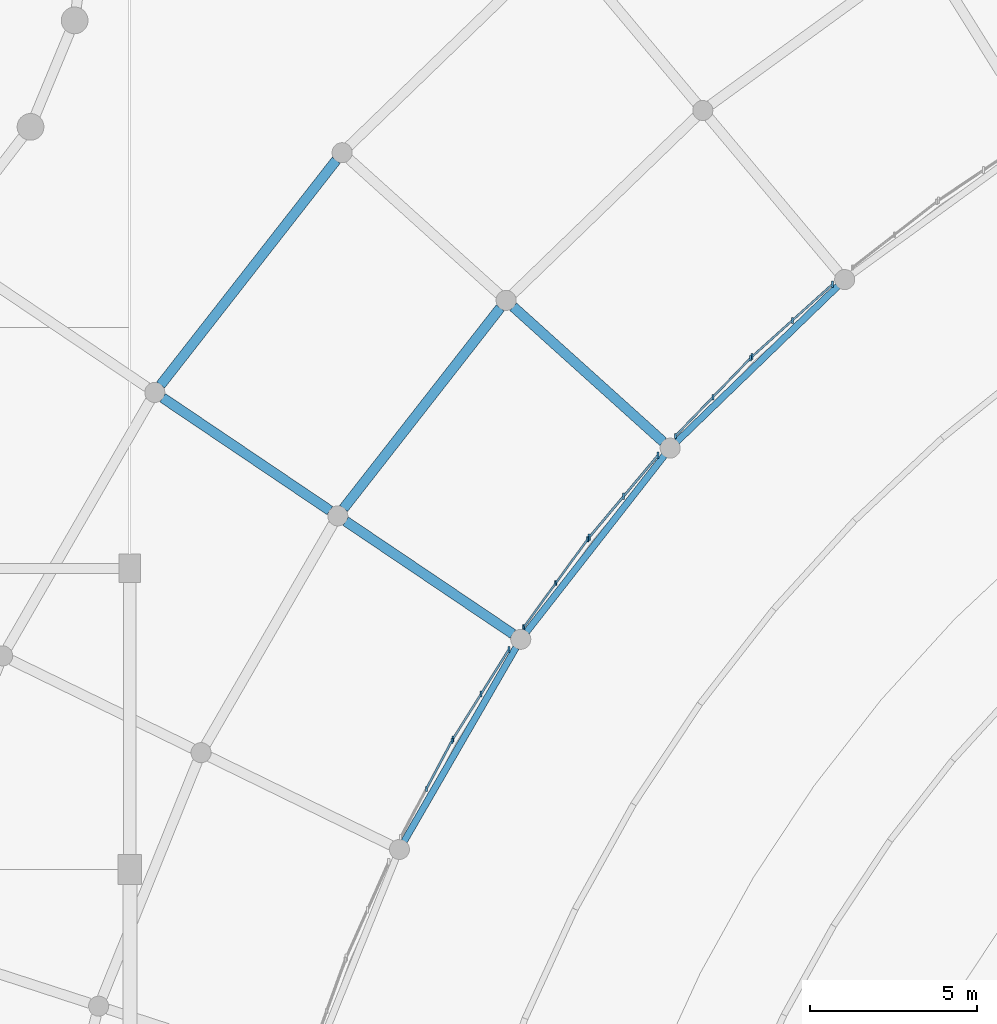
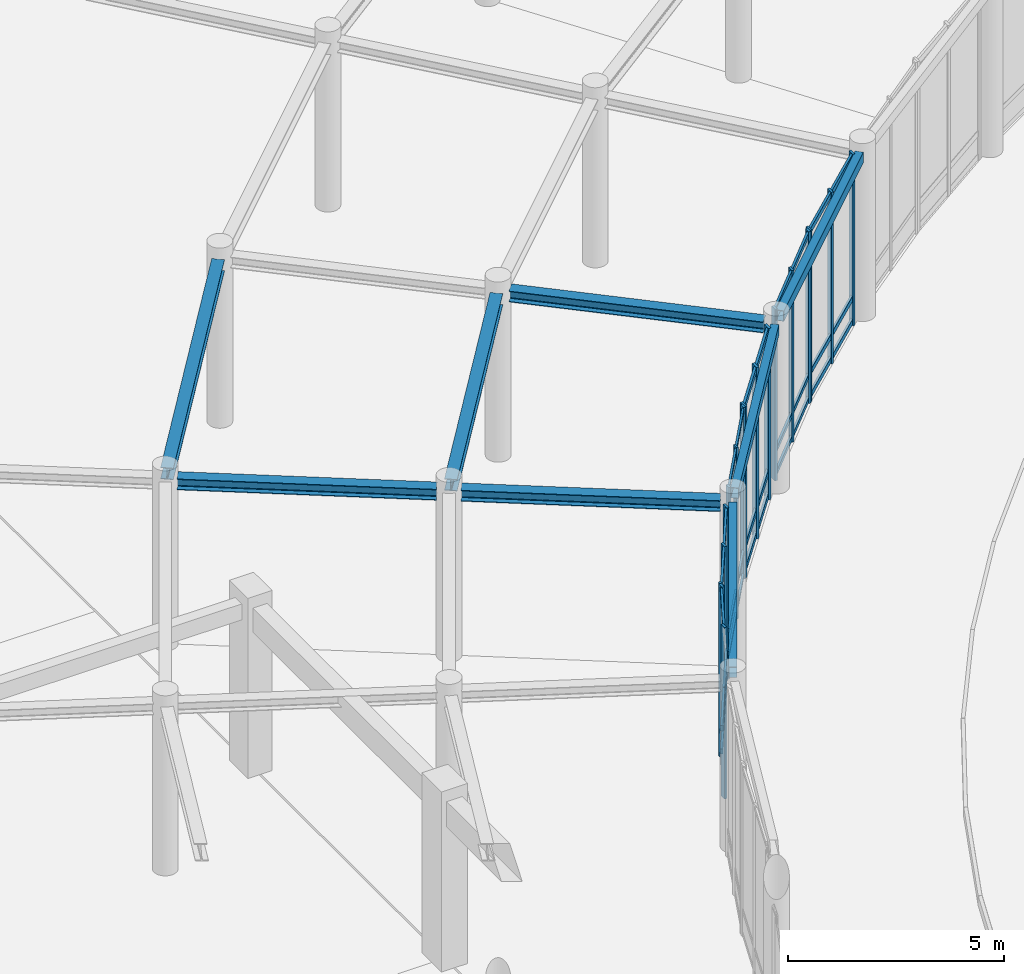
# One storey, part 19 of 64: 50 members, 8 beams, 6 elements without a shape of their own.
"""IFC4 building model written with IfcOpenShell, lengths in metres."""

from ifc_helpers import new_model, si_unit, direction, frame, origin, origin_2d, place, context, subcontext, project, spatial, rectangle, hollow_rectangle, i_section, extrude, material, material_profile, profile_set, type_object, element, aggregate, save


model = new_model("IFC4")

# Units and contexts
model_context = context("Model", 3, precision=1e-05, world=origin(), true_north=direction((0.0, 1.0)))
body_context = subcontext(model_context, "Body", "Model", "MODEL_VIEW")
ifc_project = project(units=[si_unit("LENGTHUNIT", "METRE"), si_unit("AREAUNIT", "SQUARE_METRE"), si_unit("VOLUMEUNIT", "CUBIC_METRE"), si_unit("PLANEANGLEUNIT", "RADIAN"), si_unit("MASSUNIT", "GRAM", prefix="KILO")], contexts=[model_context])

# Site, building, storey
site_placement = place(None, origin())
site = spatial("IfcSite", under=ifc_project, at=site_placement, CompositionType="ELEMENT")
building_placement = place(site_placement, origin())
building = spatial("IfcBuilding", under=site, at=building_placement, Name="Clarverna Civic Hall", CompositionType="ELEMENT")
storey_placement = place(building_placement, origin())
storey = spatial("IfcBuildingStorey", under=building, at=storey_placement, Name="L00", CompositionType="ELEMENT", Elevation=0.0)

# Beams
ifc_material_1 = material(Name="Steel S355", Category="steel")
ifc_material_profile_1 = material_profile(ifc_material_1, hollow_rectangle(XDim=0.199951171875, YDim=0.300048828125, WallThickness=0.010009765625, at=origin_2d()), Name="RHS 300x200x10.0")
ifc_profile_set_1 = profile_set([ifc_material_profile_1], Name="Steel S355")
beam_type_1 = type_object("IfcBeamType", Name="B-ST15", PredefinedType="SPANDREL", material=ifc_profile_set_1)
beam_1_placement = place(storey_placement, frame((118.3701171875, 47.63623046875, 4.7099609375), z_axis=(-0.719361812059, -0.694635575932, 0.0), x_axis=(0.694635575932, -0.719361812059, 0.0)))
element("IfcBeam", 1, at=beam_1_placement, inside=storey, type_object=beam_type_1, Name="B-ST15-005", PredefinedType="SPANDREL", context=body_context, shape_type="SweptSolid", body=[
    extrude(hollow_rectangle(XDim=0.199951171875, YDim=0.300048828125, WallThickness=0.010009765625, at=origin_2d()), origin(), (0.0, 0.0, 1.0), 6.6845703125),
])
for number, where, z_axis, x_axis, name in (
    (2, (113.180908203125, 42.5703125, 4.7099609375), (-0.615643333246, -0.788024927416, 0.0), (0.788024927416, -0.615643333246, 0.0), "B-ST15-006"),
    (3, (108.74755859375, 36.831298828125, 4.7099609375), (-0.499980636126, -0.866036583233, 0.0), (0.866036583233, -0.499980636126, 0.0), "B-ST15-007"),
):
    element("IfcBeam", number, at=place(storey_placement, frame(where, z_axis=z_axis, x_axis=x_axis)), inside=storey, type_object=beam_type_1, Name=name, PredefinedType="SPANDREL", context=body_context, shape_type="SweptSolid", body=[
        extrude(hollow_rectangle(XDim=0.199951171875, YDim=0.300048828125, WallThickness=0.010009765625, at=origin_2d()), origin(), (0.0, 0.0, 1.0), 6.684814453125),
    ])
ifc_material_profile_2 = material_profile(ifc_material_1, i_section(OverallWidth=0.300048828125, OverallDepth=0.330078125, WebThickness=0.009521484375, FlangeThickness=0.0166015625, FilletRadius=0.027099609375, at=origin_2d()), Name="HEA 340")
ifc_profile_set_2 = profile_set([ifc_material_profile_2], Name="Steel S355")
beam_type_2 = type_object("IfcBeamType", Name="B-ST8", PredefinedType="BEAM", material=ifc_profile_set_2)
beam_2_placement = place(storey_placement, frame((108.276123046875, 46.986572265625, 4.614990234375), z_axis=(-0.615641550165, -0.788026320443, 0.0), x_axis=(0.788026320443, -0.615641550165, 0.0)))
element("IfcBeam", 4, at=beam_2_placement, inside=storey, type_object=beam_type_2, Name="B-ST8-034", PredefinedType="BEAM", context=body_context, shape_type="SweptSolid", body=[
    extrude(i_section(OverallWidth=0.300048828125, OverallDepth=0.330078125, WebThickness=0.009521484375, FlangeThickness=0.0166015625, FilletRadius=0.027099609375, at=origin_2d()), origin(), (0.0, 0.0, 1.0), 7.605224609375),
])
beam_3_placement = place(storey_placement, frame((103.37158203125, 51.402587890625, 4.614990234375), z_axis=(-0.615675715083, -0.787999628081, 0.0), x_axis=(0.787999628081, -0.615675715083, 0.0)))
element("IfcBeam", 5, at=beam_3_placement, inside=storey, type_object=beam_type_2, Name="B-ST8-043", PredefinedType="BEAM", context=body_context, shape_type="SweptSolid", body=[
    extrude(i_section(OverallWidth=0.300048828125, OverallDepth=0.330078125, WebThickness=0.009521484375, FlangeThickness=0.0166015625, FilletRadius=0.027099609375, at=origin_2d()), origin(), (0.0, 0.0, 1.0), 8.526123046875),
])
ifc_material_profile_3 = material_profile(ifc_material_1, i_section(OverallWidth=0.300048828125, OverallDepth=0.31005859375, WebThickness=0.009033203125, FlangeThickness=0.015380859375, FilletRadius=0.027099609375, at=origin_2d()), Name="HEA 320")
ifc_profile_set_3 = profile_set([ifc_material_profile_3], Name="Steel S355")
beam_type_3 = type_object("IfcBeamType", Name="B-ST9", PredefinedType="BEAM", material=ifc_profile_set_3)
for number, where, z_axis, x_axis, name in (
    (6, (113.144775390625, 42.985595703125, 4.625), (-0.743143139019, 0.669132479356, 0.0), (-0.669132479356, -0.743143139019, 0.0), "B-ST9-037"),
    (7, (108.65380859375, 37.2373046875, 4.625), (-0.829023239564, 0.559214152416, 0.0), (-0.559214152416, -0.829023239564, 0.0), "B-ST9-039"),
    (8, (103.18212890625, 40.927978515625, 4.625), (-0.829023239564, 0.559214152416, 0.0), (-0.559214152416, -0.829023239564, 0.0), "B-ST9-040"),
):
    element("IfcBeam", number, at=place(storey_placement, frame(where, z_axis=z_axis, x_axis=x_axis)), inside=storey, type_object=beam_type_3, Name=name, PredefinedType="BEAM", context=body_context, shape_type="SweptSolid", body=[
        extrude(i_section(OverallWidth=0.300048828125, OverallDepth=0.31005859375, WebThickness=0.009033203125, FlangeThickness=0.015380859375, FilletRadius=0.027099609375, at=origin_2d()), origin(), (0.0, 0.0, 1.0), 6.030029296875),
    ])

# Curtain wall, members
ifc_material_2 = material(Name="Anodised Bronze Architectural Aluminium", Category="aluminium")
curtain_wall_type = type_object("IfcCurtainWallType", Name="CW-03", PredefinedType="USERDEFINED", material=ifc_material_2)
curtain_wall_1_placement = place(storey_placement, origin())
curtain_wall_1 = element("IfcCurtainWall", 9, at=curtain_wall_1_placement, inside=storey, type_object=curtain_wall_type, Name="CW-03-016", ObjectType="UNITISED CURTAIN WALL", PredefinedType="USERDEFINED")
ifc_material_profile_4 = material_profile(ifc_material_2, rectangle(XDim=0.06005859375, YDim=0.179931640625, at=origin_2d()), Name="BRONZE 60x180")
ifc_profile_set_4 = profile_set([ifc_material_profile_4], Name="Anodised Bronze Architectural Aluminium")
member_type_1 = type_object("IfcMemberType", Name="CWM-01", PredefinedType="MULLION", material=ifc_profile_set_4)
member_1_placement = place(storey_placement, frame((118.21044921875, 47.6943359375, 0.0), z_axis=(0.0, 0.0, 1.0), x_axis=(1.0, 0.0, 0.0)))
member_1 = element("IfcMember", 10, at=member_1_placement, type_object=member_type_1, Name="CWM-01-013", PredefinedType="MULLION", context=body_context, shape_type="SweptSolid", body=[
    extrude(rectangle(XDim=0.06005859375, YDim=0.179931640625, at=origin_2d()), origin(), (0.0, 0.0, 1.0), 4.860107421875),
])
member_2_placement = place(storey_placement, frame((117.009521484375, 46.613037109375, 0.0), z_axis=(0.0, 0.0, 1.0), x_axis=(1.0, 0.0, 0.0)))
member_2 = element("IfcMember", 11, at=member_2_placement, type_object=member_type_1, Name="CWM-01-014", PredefinedType="MULLION", context=body_context, shape_type="SweptSolid", body=[
    extrude(rectangle(XDim=0.06005859375, YDim=0.179931640625, at=origin_2d()), origin(), (0.0, 0.0, 1.0), 4.860107421875),
])
member_3_placement = place(storey_placement, frame((115.80859375, 45.53173828125, 0.0), z_axis=(0.0, 0.0, 1.0), x_axis=(1.0, 0.0, 0.0)))
member_3 = element("IfcMember", 12, at=member_3_placement, type_object=member_type_1, Name="CWM-01-015", PredefinedType="MULLION", context=body_context, shape_type="SweptSolid", body=[
    extrude(rectangle(XDim=0.06005859375, YDim=0.179931640625, at=origin_2d()), origin(), (0.0, 0.0, 1.0), 4.860107421875),
])

curtain_wall_2_placement = place(storey_placement, origin())
curtain_wall_2 = element("IfcCurtainWall", 13, at=curtain_wall_2_placement, inside=storey, type_object=curtain_wall_type, Name="CW-03-020", ObjectType="UNITISED CURTAIN WALL", PredefinedType="USERDEFINED")
member_4_placement = place(storey_placement, frame((108.532470703125, 36.77001953125, 0.0), z_axis=(0.0, 0.0, 1.0), x_axis=(1.0, 0.0, 0.0)))
member_4 = element("IfcMember", 14, at=member_4_placement, type_object=member_type_1, Name="CWM-01-016", PredefinedType="MULLION", context=body_context, shape_type="SweptSolid", body=[
    extrude(rectangle(XDim=0.06005859375, YDim=0.179931640625, at=origin_2d()), origin(), (0.0, 0.0, 1.0), 4.860107421875),
])
member_5_placement = place(storey_placement, frame((107.698974609375, 35.43603515625, 0.0), z_axis=(0.0, 0.0, 1.0), x_axis=(1.0, 0.0, 0.0)))
member_5 = element("IfcMember", 15, at=member_5_placement, type_object=member_type_1, Name="CWM-01-017", PredefinedType="MULLION", context=body_context, shape_type="SweptSolid", body=[
    extrude(rectangle(XDim=0.06005859375, YDim=0.179931640625, at=origin_2d()), origin(), (0.0, 0.0, 1.0), 4.860107421875),
])
member_6_placement = place(storey_placement, frame((106.865478515625, 34.102294921875, 0.0), z_axis=(0.0, 0.0, 1.0), x_axis=(1.0, 0.0, 0.0)))
member_6 = element("IfcMember", 16, at=member_6_placement, type_object=member_type_1, Name="CWM-01-018", PredefinedType="MULLION", context=body_context, shape_type="SweptSolid", body=[
    extrude(rectangle(XDim=0.06005859375, YDim=0.179931640625, at=origin_2d()), origin(), (0.0, 0.0, 1.0), 4.860107421875),
])

curtain_wall_3_placement = place(storey_placement, origin())
curtain_wall_3 = element("IfcCurtainWall", 17, at=curtain_wall_3_placement, inside=storey, type_object=curtain_wall_type, Name="CW-03-017", ObjectType="UNITISED CURTAIN WALL", PredefinedType="USERDEFINED")
ifc_material_profile_5 = material_profile(ifc_material_2, rectangle(XDim=0.06005859375, YDim=0.159912109375, at=origin_2d()), Name="BRONZE 60x160")
ifc_profile_set_5 = profile_set([ifc_material_profile_5], Name="Anodised Bronze Architectural Aluminium")
member_type_2 = type_object("IfcMemberType", Name="CWM-02", PredefinedType="MULLION", material=ifc_profile_set_5)
member_7_placement = place(storey_placement, frame((115.754150390625, 45.479248046875, 0.0), z_axis=(0.0, 0.0, 1.0), x_axis=(1.0, 0.0, 0.0)))
member_7 = element("IfcMember", 18, at=member_7_placement, type_object=member_type_2, Name="CWM-02-013", PredefinedType="MULLION", context=body_context, shape_type="SweptSolid", body=[
    extrude(rectangle(XDim=0.06005859375, YDim=0.159912109375, at=origin_2d()), origin(), (0.0, 0.0, 1.0), 4.860107421875),
])
member_8_placement = place(storey_placement, frame((114.633544921875, 44.31884765625, 0.0), z_axis=(0.0, 0.0, 1.0), x_axis=(1.0, 0.0, 0.0)))
member_8 = element("IfcMember", 19, at=member_8_placement, type_object=member_type_2, Name="CWM-02-014", PredefinedType="MULLION", context=body_context, shape_type="SweptSolid", body=[
    extrude(rectangle(XDim=0.06005859375, YDim=0.159912109375, at=origin_2d()), origin(), (0.0, 0.0, 1.0), 4.860107421875),
])
member_9_placement = place(storey_placement, frame((113.51318359375, 43.158447265625, 0.0), z_axis=(0.0, 0.0, 1.0), x_axis=(1.0, 0.0, 0.0)))
member_9 = element("IfcMember", 20, at=member_9_placement, type_object=member_type_2, Name="CWM-02-015", PredefinedType="MULLION", context=body_context, shape_type="SweptSolid", body=[
    extrude(rectangle(XDim=0.06005859375, YDim=0.159912109375, at=origin_2d()), origin(), (0.0, 0.0, 1.0), 4.860107421875),
])

curtain_wall_4_placement = place(storey_placement, origin())
curtain_wall_4 = element("IfcCurtainWall", 21, at=curtain_wall_4_placement, inside=storey, type_object=curtain_wall_type, Name="CW-03-021", ObjectType="UNITISED CURTAIN WALL", PredefinedType="USERDEFINED")
member_10_placement = place(storey_placement, frame((106.82763671875, 34.03662109375, 0.0), z_axis=(0.0, 0.0, 1.0), x_axis=(1.0, 0.0, 0.0)))
member_10 = element("IfcMember", 22, at=member_10_placement, type_object=member_type_2, Name="CWM-02-016", PredefinedType="MULLION", context=body_context, shape_type="SweptSolid", body=[
    extrude(rectangle(XDim=0.06005859375, YDim=0.159912109375, at=origin_2d()), origin(), (0.0, 0.0, 1.0), 4.860107421875),
])
member_11_placement = place(storey_placement, frame((106.064208984375, 32.6005859375, 0.0), z_axis=(0.0, 0.0, 1.0), x_axis=(1.0, 0.0, 0.0)))
member_11 = element("IfcMember", 23, at=member_11_placement, type_object=member_type_2, Name="CWM-02-017", PredefinedType="MULLION", context=body_context, shape_type="SweptSolid", body=[
    extrude(rectangle(XDim=0.06005859375, YDim=0.159912109375, at=origin_2d()), origin(), (0.0, 0.0, 1.0), 4.860107421875),
])

curtain_wall_5_placement = place(storey_placement, origin())
curtain_wall_5 = element("IfcCurtainWall", 24, at=curtain_wall_5_placement, inside=storey, type_object=curtain_wall_type, Name="CW-03-018", ObjectType="UNITISED CURTAIN WALL", PredefinedType="USERDEFINED")
ifc_material_profile_6 = material_profile(ifc_material_2, rectangle(XDim=0.06494140625, YDim=0.199951171875, at=origin_2d()), Name="BRONZE 65x200")
ifc_profile_set_6 = profile_set([ifc_material_profile_6], Name="Anodised Bronze Architectural Aluminium")
member_type_3 = type_object("IfcMemberType", Name="CWM-03", PredefinedType="MULLION", material=ifc_profile_set_6)
member_12_placement = place(storey_placement, frame((112.995361328125, 42.58203125, 0.0), z_axis=(0.0, 0.0, 1.0), x_axis=(1.0, 0.0, 0.0)))
member_12 = element("IfcMember", 25, at=member_12_placement, type_object=member_type_3, Name="CWM-03-013", PredefinedType="MULLION", context=body_context, shape_type="SweptSolid", body=[
    extrude(rectangle(XDim=0.06494140625, YDim=0.199951171875, at=origin_2d()), origin(), (0.0, 0.0, 1.0), 4.860107421875),
])
member_13_placement = place(storey_placement, frame((111.96630859375, 41.35595703125, 0.0), z_axis=(0.0, 0.0, 1.0), x_axis=(1.0, 0.0, 0.0)))
member_13 = element("IfcMember", 26, at=member_13_placement, type_object=member_type_3, Name="CWM-03-014", PredefinedType="MULLION", context=body_context, shape_type="SweptSolid", body=[
    extrude(rectangle(XDim=0.06494140625, YDim=0.199951171875, at=origin_2d()), origin(), (0.0, 0.0, 1.0), 4.860107421875),
])
member_14_placement = place(storey_placement, frame((110.9375, 40.129638671875, 0.0), z_axis=(0.0, 0.0, 1.0), x_axis=(1.0, 0.0, 0.0)))
member_14 = element("IfcMember", 27, at=member_14_placement, type_object=member_type_3, Name="CWM-03-015", PredefinedType="MULLION", context=body_context, shape_type="SweptSolid", body=[
    extrude(rectangle(XDim=0.06494140625, YDim=0.199951171875, at=origin_2d()), origin(), (0.0, 0.0, 1.0), 4.860107421875),
])

curtain_wall_6_placement = place(storey_placement, origin())
curtain_wall_6 = element("IfcCurtainWall", 28, at=curtain_wall_6_placement, inside=storey, type_object=curtain_wall_type, Name="CW-03-019", ObjectType="UNITISED CURTAIN WALL", PredefinedType="USERDEFINED")
ifc_material_profile_7 = material_profile(ifc_material_2, rectangle(XDim=0.054931640625, YDim=0.139892578125, at=origin_2d()), Name="BRONZE 55x140")
ifc_profile_set_7 = profile_set([ifc_material_profile_7], Name="Anodised Bronze Architectural Aluminium")
member_type_4 = type_object("IfcMemberType", Name="CWM-04", PredefinedType="MULLION", material=ifc_profile_set_7)
member_15_placement = place(storey_placement, frame((110.890625, 40.070068359375, 0.0), z_axis=(0.0, 0.0, 1.0), x_axis=(1.0, 0.0, 0.0)))
member_15 = element("IfcMember", 29, at=member_15_placement, type_object=member_type_4, Name="CWM-04-013", PredefinedType="MULLION", context=body_context, shape_type="SweptSolid", body=[
    extrude(rectangle(XDim=0.054931640625, YDim=0.139892578125, at=origin_2d()), origin(), (0.0, 0.0, 1.0), 4.860107421875),
])
member_16_placement = place(storey_placement, frame((109.93701171875, 38.75732421875, 0.0), z_axis=(0.0, 0.0, 1.0), x_axis=(1.0, 0.0, 0.0)))
member_16 = element("IfcMember", 30, at=member_16_placement, type_object=member_type_4, Name="CWM-04-014", PredefinedType="MULLION", context=body_context, shape_type="SweptSolid", body=[
    extrude(rectangle(XDim=0.054931640625, YDim=0.139892578125, at=origin_2d()), origin(), (0.0, 0.0, 1.0), 4.860107421875),
])
member_17_placement = place(storey_placement, frame((108.9833984375, 37.444580078125, 0.0), z_axis=(0.0, 0.0, 1.0), x_axis=(1.0, 0.0, 0.0)))
member_17 = element("IfcMember", 31, at=member_17_placement, type_object=member_type_4, Name="CWM-04-015", PredefinedType="MULLION", context=body_context, shape_type="SweptSolid", body=[
    extrude(rectangle(XDim=0.054931640625, YDim=0.139892578125, at=origin_2d()), origin(), (0.0, 0.0, 1.0), 4.860107421875),
])

# Member
ifc_material_profile_8 = material_profile(ifc_material_2, rectangle(XDim=0.06005859375, YDim=0.14990234375, at=origin_2d()), Name="BRONZE 60x150")
ifc_profile_set_8 = profile_set([ifc_material_profile_8], Name="Anodised Bronze Architectural Aluminium")
member_type_5 = type_object("IfcMemberType", Name="CWT-01", PredefinedType="USERDEFINED", material=ifc_profile_set_8)
member_18_placement = place(storey_placement, frame((118.199462890625, 47.684326171875, 0.094970703125), z_axis=(-0.74315636216, -0.669117793353, 0.0), x_axis=(0.669117793353, -0.74315636216, 0.0)))
member_18 = element("IfcMember", 32, at=member_18_placement, type_object=member_type_5, Name="CWT-01-025", ObjectType="TRANSOM", PredefinedType="USERDEFINED", context=body_context, shape_type="SweptSolid", body=[
    extrude(rectangle(XDim=0.06005859375, YDim=0.14990234375, at=origin_2d()), origin(), (0.0, 0.0, 1.0), 1.586181640625),
])

member_19_placement = place(storey_placement, frame((118.199462890625, 47.684326171875, 0.75), z_axis=(-0.74315636216, -0.669117793353, 0.0), x_axis=(0.669117793353, -0.74315636216, 0.0)))
member_19 = element("IfcMember", 33, at=member_19_placement, type_object=member_type_5, Name="CWT-01-026", ObjectType="TRANSOM", PredefinedType="USERDEFINED", context=body_context, shape_type="SweptSolid", body=[
    extrude(rectangle(XDim=0.06005859375, YDim=0.14990234375, at=origin_2d()), origin(), (0.0, 0.0, 1.0), 1.586181640625),
])

member_20_placement = place(storey_placement, frame((118.199462890625, 47.684326171875, 4.764892578125), z_axis=(-0.74315636216, -0.669117793353, 0.0), x_axis=(0.669117793353, -0.74315636216, 0.0)))
member_20 = element("IfcMember", 34, at=member_20_placement, type_object=member_type_5, Name="CWT-01-027", ObjectType="TRANSOM", PredefinedType="USERDEFINED", context=body_context, shape_type="SweptSolid", body=[
    extrude(rectangle(XDim=0.06005859375, YDim=0.14990234375, at=origin_2d()), origin(), (0.0, 0.0, 1.0), 1.586181640625),
])

member_21_placement = place(storey_placement, frame((116.998291015625, 46.60302734375, 0.094970703125), z_axis=(-0.74315636216, -0.669117793353, 0.0), x_axis=(0.669117793353, -0.74315636216, 0.0)))
member_21 = element("IfcMember", 35, at=member_21_placement, type_object=member_type_5, Name="CWT-01-028", ObjectType="TRANSOM", PredefinedType="USERDEFINED", context=body_context, shape_type="SweptSolid", body=[
    extrude(rectangle(XDim=0.06005859375, YDim=0.14990234375, at=origin_2d()), origin(), (0.0, 0.0, 1.0), 1.586181640625),
])

member_22_placement = place(storey_placement, frame((116.998291015625, 46.60302734375, 0.75), z_axis=(-0.74315636216, -0.669117793353, 0.0), x_axis=(0.669117793353, -0.74315636216, 0.0)))
member_22 = element("IfcMember", 36, at=member_22_placement, type_object=member_type_5, Name="CWT-01-029", ObjectType="TRANSOM", PredefinedType="USERDEFINED", context=body_context, shape_type="SweptSolid", body=[
    extrude(rectangle(XDim=0.06005859375, YDim=0.14990234375, at=origin_2d()), origin(), (0.0, 0.0, 1.0), 1.586181640625),
])

member_23_placement = place(storey_placement, frame((116.998291015625, 46.60302734375, 4.764892578125), z_axis=(-0.74315636216, -0.669117793353, 0.0), x_axis=(0.669117793353, -0.74315636216, 0.0)))
member_23 = element("IfcMember", 37, at=member_23_placement, type_object=member_type_5, Name="CWT-01-030", ObjectType="TRANSOM", PredefinedType="USERDEFINED", context=body_context, shape_type="SweptSolid", body=[
    extrude(rectangle(XDim=0.06005859375, YDim=0.14990234375, at=origin_2d()), origin(), (0.0, 0.0, 1.0), 1.586181640625),
])

aggregate(curtain_wall_1, [member_1, member_2, member_3, member_18, member_19, member_20, member_21, member_22, member_23])

member_24_placement = place(storey_placement, frame((108.524658203125, 36.75732421875, 0.094970703125), z_axis=(-0.529998940003, -0.847998304005, 0.0), x_axis=(0.847998304005, -0.529998940003, 0.0)))
member_24 = element("IfcMember", 38, at=member_24_placement, type_object=member_type_5, Name="CWT-01-031", ObjectType="TRANSOM", PredefinedType="USERDEFINED", context=body_context, shape_type="SweptSolid", body=[
    extrude(rectangle(XDim=0.06005859375, YDim=0.14990234375, at=origin_2d()), origin(), (0.0, 0.0, 1.0), 1.543212890625),
])

member_25_placement = place(storey_placement, frame((108.524658203125, 36.75732421875, 0.75), z_axis=(-0.529998940003, -0.847998304005, 0.0), x_axis=(0.847998304005, -0.529998940003, 0.0)))
member_25 = element("IfcMember", 39, at=member_25_placement, type_object=member_type_5, Name="CWT-01-032", ObjectType="TRANSOM", PredefinedType="USERDEFINED", context=body_context, shape_type="SweptSolid", body=[
    extrude(rectangle(XDim=0.06005859375, YDim=0.14990234375, at=origin_2d()), origin(), (0.0, 0.0, 1.0), 1.543212890625),
])

member_26_placement = place(storey_placement, frame((108.524658203125, 36.75732421875, 4.764892578125), z_axis=(-0.529998940003, -0.847998304005, 0.0), x_axis=(0.847998304005, -0.529998940003, 0.0)))
member_26 = element("IfcMember", 40, at=member_26_placement, type_object=member_type_5, Name="CWT-01-033", ObjectType="TRANSOM", PredefinedType="USERDEFINED", context=body_context, shape_type="SweptSolid", body=[
    extrude(rectangle(XDim=0.06005859375, YDim=0.14990234375, at=origin_2d()), origin(), (0.0, 0.0, 1.0), 1.543212890625),
])

member_27_placement = place(storey_placement, frame((107.691162109375, 35.42333984375, 0.094970703125), z_axis=(-0.530070052686, -0.847953854431, 0.0), x_axis=(0.847953854431, -0.530070052686, 0.0)))
member_27 = element("IfcMember", 41, at=member_27_placement, type_object=member_type_5, Name="CWT-01-034", ObjectType="TRANSOM", PredefinedType="USERDEFINED", context=body_context, shape_type="SweptSolid", body=[
    extrude(rectangle(XDim=0.06005859375, YDim=0.14990234375, at=origin_2d()), origin(), (0.0, 0.0, 1.0), 1.54296875),
])

member_28_placement = place(storey_placement, frame((107.691162109375, 35.42333984375, 0.75), z_axis=(-0.530070052686, -0.847953854431, 0.0), x_axis=(0.847953854431, -0.530070052686, 0.0)))
member_28 = element("IfcMember", 42, at=member_28_placement, type_object=member_type_5, Name="CWT-01-035", ObjectType="TRANSOM", PredefinedType="USERDEFINED", context=body_context, shape_type="SweptSolid", body=[
    extrude(rectangle(XDim=0.06005859375, YDim=0.14990234375, at=origin_2d()), origin(), (0.0, 0.0, 1.0), 1.54296875),
])

member_29_placement = place(storey_placement, frame((107.691162109375, 35.42333984375, 4.764892578125), z_axis=(-0.530070052686, -0.847953854431, 0.0), x_axis=(0.847953854431, -0.530070052686, 0.0)))
member_29 = element("IfcMember", 43, at=member_29_placement, type_object=member_type_5, Name="CWT-01-036", ObjectType="TRANSOM", PredefinedType="USERDEFINED", context=body_context, shape_type="SweptSolid", body=[
    extrude(rectangle(XDim=0.06005859375, YDim=0.14990234375, at=origin_2d()), origin(), (0.0, 0.0, 1.0), 1.54296875),
])

aggregate(curtain_wall_2, [member_4, member_5, member_6, member_24, member_25, member_26, member_27, member_28, member_29])

ifc_material_profile_9 = material_profile(ifc_material_2, rectangle(XDim=0.06005859375, YDim=0.1298828125, at=origin_2d()), Name="BRONZE 60x130")
ifc_profile_set_9 = profile_set([ifc_material_profile_9], Name="Anodised Bronze Architectural Aluminium")
member_type_6 = type_object("IfcMemberType", Name="CWT-02", PredefinedType="USERDEFINED", material=ifc_profile_set_9)
member_30_placement = place(storey_placement, frame((115.743896484375, 45.468505859375, 0.094970703125), z_axis=(-0.694663306685, -0.719335033448, 0.0), x_axis=(0.719335033448, -0.694663306685, 0.0)))
member_30 = element("IfcMember", 44, at=member_30_placement, type_object=member_type_6, Name="CWT-02-025", ObjectType="TRANSOM", PredefinedType="USERDEFINED", context=body_context, shape_type="SweptSolid", body=[
    extrude(rectangle(XDim=0.06005859375, YDim=0.1298828125, at=origin_2d()), origin(), (0.0, 0.0, 1.0), 1.583251953125),
])

member_31_placement = place(storey_placement, frame((115.743896484375, 45.468505859375, 0.75), z_axis=(-0.694663306685, -0.719335033448, 0.0), x_axis=(0.719335033448, -0.694663306685, 0.0)))
member_31 = element("IfcMember", 45, at=member_31_placement, type_object=member_type_6, Name="CWT-02-026", ObjectType="TRANSOM", PredefinedType="USERDEFINED", context=body_context, shape_type="SweptSolid", body=[
    extrude(rectangle(XDim=0.06005859375, YDim=0.1298828125, at=origin_2d()), origin(), (0.0, 0.0, 1.0), 1.583251953125),
])

member_32_placement = place(storey_placement, frame((115.743896484375, 45.468505859375, 4.764892578125), z_axis=(-0.694663306685, -0.719335033448, 0.0), x_axis=(0.719335033448, -0.694663306685, 0.0)))
member_32 = element("IfcMember", 46, at=member_32_placement, type_object=member_type_6, Name="CWT-02-027", ObjectType="TRANSOM", PredefinedType="USERDEFINED", context=body_context, shape_type="SweptSolid", body=[
    extrude(rectangle(XDim=0.06005859375, YDim=0.1298828125, at=origin_2d()), origin(), (0.0, 0.0, 1.0), 1.583251953125),
])

member_33_placement = place(storey_placement, frame((114.623291015625, 44.30810546875, 0.094970703125), z_axis=(-0.694663306685, -0.719335033448, 0.0), x_axis=(0.719335033448, -0.694663306685, 0.0)))
member_33 = element("IfcMember", 47, at=member_33_placement, type_object=member_type_6, Name="CWT-02-028", ObjectType="TRANSOM", PredefinedType="USERDEFINED", context=body_context, shape_type="SweptSolid", body=[
    extrude(rectangle(XDim=0.06005859375, YDim=0.1298828125, at=origin_2d()), origin(), (0.0, 0.0, 1.0), 1.583251953125),
])

member_34_placement = place(storey_placement, frame((114.623291015625, 44.30810546875, 0.75), z_axis=(-0.694663306685, -0.719335033448, 0.0), x_axis=(0.719335033448, -0.694663306685, 0.0)))
member_34 = element("IfcMember", 48, at=member_34_placement, type_object=member_type_6, Name="CWT-02-029", ObjectType="TRANSOM", PredefinedType="USERDEFINED", context=body_context, shape_type="SweptSolid", body=[
    extrude(rectangle(XDim=0.06005859375, YDim=0.1298828125, at=origin_2d()), origin(), (0.0, 0.0, 1.0), 1.583251953125),
])

member_35_placement = place(storey_placement, frame((114.623291015625, 44.30810546875, 4.764892578125), z_axis=(-0.694663306685, -0.719335033448, 0.0), x_axis=(0.719335033448, -0.694663306685, 0.0)))
member_35 = element("IfcMember", 49, at=member_35_placement, type_object=member_type_6, Name="CWT-02-030", ObjectType="TRANSOM", PredefinedType="USERDEFINED", context=body_context, shape_type="SweptSolid", body=[
    extrude(rectangle(XDim=0.06005859375, YDim=0.1298828125, at=origin_2d()), origin(), (0.0, 0.0, 1.0), 1.583251953125),
])

aggregate(curtain_wall_3, [member_7, member_8, member_9, member_30, member_31, member_32, member_33, member_34, member_35])

member_36_placement = place(storey_placement, frame((106.820556640625, 34.0234375, 0.094970703125), z_axis=(-0.469460802596, -0.882953314069, 0.0), x_axis=(0.882953314069, -0.469460802596, 0.0)))
member_36 = element("IfcMember", 50, at=member_36_placement, type_object=member_type_6, Name="CWT-02-031", ObjectType="TRANSOM", PredefinedType="USERDEFINED", context=body_context, shape_type="SweptSolid", body=[
    extrude(rectangle(XDim=0.06005859375, YDim=0.1298828125, at=origin_2d()), origin(), (0.0, 0.0, 1.0), 1.596435546875),
])

member_37_placement = place(storey_placement, frame((106.820556640625, 34.0234375, 0.75), z_axis=(-0.469460802596, -0.882953314069, 0.0), x_axis=(0.882953314069, -0.469460802596, 0.0)))
member_37 = element("IfcMember", 51, at=member_37_placement, type_object=member_type_6, Name="CWT-02-032", ObjectType="TRANSOM", PredefinedType="USERDEFINED", context=body_context, shape_type="SweptSolid", body=[
    extrude(rectangle(XDim=0.06005859375, YDim=0.1298828125, at=origin_2d()), origin(), (0.0, 0.0, 1.0), 1.596435546875),
])

member_38_placement = place(storey_placement, frame((106.820556640625, 34.0234375, 4.764892578125), z_axis=(-0.469460802596, -0.882953314069, 0.0), x_axis=(0.882953314069, -0.469460802596, 0.0)))
member_38 = element("IfcMember", 52, at=member_38_placement, type_object=member_type_6, Name="CWT-02-033", ObjectType="TRANSOM", PredefinedType="USERDEFINED", context=body_context, shape_type="SweptSolid", body=[
    extrude(rectangle(XDim=0.06005859375, YDim=0.1298828125, at=origin_2d()), origin(), (0.0, 0.0, 1.0), 1.596435546875),
])

aggregate(curtain_wall_4, [member_10, member_11, member_36, member_37, member_38])

ifc_material_profile_10 = material_profile(ifc_material_2, rectangle(XDim=0.06494140625, YDim=0.169921875, at=origin_2d()), Name="BRONZE 65x170")
ifc_profile_set_10 = profile_set([ifc_material_profile_10], Name="Anodised Bronze Architectural Aluminium")
member_type_7 = type_object("IfcMemberType", Name="CWT-03", PredefinedType="USERDEFINED", material=ifc_profile_set_10)
member_39_placement = place(storey_placement, frame((112.985595703125, 42.570556640625, 0.094970703125), z_axis=(-0.642780039914, -0.766050794848, 0.0), x_axis=(0.766050794848, -0.642780039914, 0.0)))
member_39 = element("IfcMember", 53, at=member_39_placement, type_object=member_type_7, Name="CWT-03-025", ObjectType="TRANSOM", PredefinedType="USERDEFINED", context=body_context, shape_type="SweptSolid", body=[
    extrude(rectangle(XDim=0.06494140625, YDim=0.169921875, at=origin_2d()), origin(), (0.0, 0.0, 1.0), 1.570556640625),
])

member_40_placement = place(storey_placement, frame((112.985595703125, 42.570556640625, 0.75), z_axis=(-0.642780039914, -0.766050794848, 0.0), x_axis=(0.766050794848, -0.642780039914, 0.0)))
member_40 = element("IfcMember", 54, at=member_40_placement, type_object=member_type_7, Name="CWT-03-026", ObjectType="TRANSOM", PredefinedType="USERDEFINED", context=body_context, shape_type="SweptSolid", body=[
    extrude(rectangle(XDim=0.06494140625, YDim=0.169921875, at=origin_2d()), origin(), (0.0, 0.0, 1.0), 1.570556640625),
])

member_41_placement = place(storey_placement, frame((112.985595703125, 42.570556640625, 4.764892578125), z_axis=(-0.642780039914, -0.766050794848, 0.0), x_axis=(0.766050794848, -0.642780039914, 0.0)))
member_41 = element("IfcMember", 55, at=member_41_placement, type_object=member_type_7, Name="CWT-03-027", ObjectType="TRANSOM", PredefinedType="USERDEFINED", context=body_context, shape_type="SweptSolid", body=[
    extrude(rectangle(XDim=0.06494140625, YDim=0.169921875, at=origin_2d()), origin(), (0.0, 0.0, 1.0), 1.570556640625),
])

member_42_placement = place(storey_placement, frame((111.956787109375, 41.344482421875, 0.094970703125), z_axis=(-0.642794715853, -0.766038480281, 0.0), x_axis=(0.766038480281, -0.642794715853, 0.0)))
member_42 = element("IfcMember", 56, at=member_42_placement, type_object=member_type_7, Name="CWT-03-028", ObjectType="TRANSOM", PredefinedType="USERDEFINED", context=body_context, shape_type="SweptSolid", body=[
    extrude(rectangle(XDim=0.06494140625, YDim=0.169921875, at=origin_2d()), origin(), (0.0, 0.0, 1.0), 1.57080078125),
])

member_43_placement = place(storey_placement, frame((111.956787109375, 41.344482421875, 0.75), z_axis=(-0.642794715853, -0.766038480281, 0.0), x_axis=(0.766038480281, -0.642794715853, 0.0)))
member_43 = element("IfcMember", 57, at=member_43_placement, type_object=member_type_7, Name="CWT-03-029", ObjectType="TRANSOM", PredefinedType="USERDEFINED", context=body_context, shape_type="SweptSolid", body=[
    extrude(rectangle(XDim=0.06494140625, YDim=0.169921875, at=origin_2d()), origin(), (0.0, 0.0, 1.0), 1.57080078125),
])

member_44_placement = place(storey_placement, frame((111.956787109375, 41.344482421875, 4.764892578125), z_axis=(-0.642794715853, -0.766038480281, 0.0), x_axis=(0.766038480281, -0.642794715853, 0.0)))
member_44 = element("IfcMember", 58, at=member_44_placement, type_object=member_type_7, Name="CWT-03-030", ObjectType="TRANSOM", PredefinedType="USERDEFINED", context=body_context, shape_type="SweptSolid", body=[
    extrude(rectangle(XDim=0.06494140625, YDim=0.169921875, at=origin_2d()), origin(), (0.0, 0.0, 1.0), 1.57080078125),
])

aggregate(curtain_wall_5, [member_12, member_13, member_14, member_39, member_40, member_41, member_42, member_43, member_44])

ifc_material_profile_11 = material_profile(ifc_material_2, rectangle(XDim=0.054931640625, YDim=0.110107421875, at=origin_2d()), Name="BRONZE 55x110")
ifc_profile_set_11 = profile_set([ifc_material_profile_11], Name="Anodised Bronze Architectural Aluminium")
member_type_8 = type_object("IfcMemberType", Name="CWT-04", PredefinedType="USERDEFINED", material=ifc_profile_set_11)
member_45_placement = place(storey_placement, frame((110.8818359375, 40.057861328125, 0.094970703125), z_axis=(-0.58778877227, -0.80901443695, 0.0), x_axis=(0.80901443695, -0.58778877227, 0.0)))
member_45 = element("IfcMember", 59, at=member_45_placement, type_object=member_type_8, Name="CWT-04-025", ObjectType="TRANSOM", PredefinedType="USERDEFINED", context=body_context, shape_type="SweptSolid", body=[
    extrude(rectangle(XDim=0.054931640625, YDim=0.110107421875, at=origin_2d()), origin(), (0.0, 0.0, 1.0), 1.592529296875),
])

member_46_placement = place(storey_placement, frame((110.8818359375, 40.057861328125, 0.75), z_axis=(-0.58778877227, -0.80901443695, 0.0), x_axis=(0.80901443695, -0.58778877227, 0.0)))
member_46 = element("IfcMember", 60, at=member_46_placement, type_object=member_type_8, Name="CWT-04-026", ObjectType="TRANSOM", PredefinedType="USERDEFINED", context=body_context, shape_type="SweptSolid", body=[
    extrude(rectangle(XDim=0.054931640625, YDim=0.110107421875, at=origin_2d()), origin(), (0.0, 0.0, 1.0), 1.592529296875),
])

member_47_placement = place(storey_placement, frame((110.8818359375, 40.057861328125, 4.764892578125), z_axis=(-0.58778877227, -0.80901443695, 0.0), x_axis=(0.80901443695, -0.58778877227, 0.0)))
member_47 = element("IfcMember", 61, at=member_47_placement, type_object=member_type_8, Name="CWT-04-027", ObjectType="TRANSOM", PredefinedType="USERDEFINED", context=body_context, shape_type="SweptSolid", body=[
    extrude(rectangle(XDim=0.054931640625, YDim=0.110107421875, at=origin_2d()), origin(), (0.0, 0.0, 1.0), 1.592529296875),
])

member_48_placement = place(storey_placement, frame((109.92822265625, 38.7451171875, 0.094970703125), z_axis=(-0.58778877227, -0.80901443695, 0.0), x_axis=(0.80901443695, -0.58778877227, 0.0)))
member_48 = element("IfcMember", 62, at=member_48_placement, type_object=member_type_8, Name="CWT-04-028", ObjectType="TRANSOM", PredefinedType="USERDEFINED", context=body_context, shape_type="SweptSolid", body=[
    extrude(rectangle(XDim=0.054931640625, YDim=0.110107421875, at=origin_2d()), origin(), (0.0, 0.0, 1.0), 1.592529296875),
])

member_49_placement = place(storey_placement, frame((109.92822265625, 38.7451171875, 0.75), z_axis=(-0.58778877227, -0.80901443695, 0.0), x_axis=(0.80901443695, -0.58778877227, 0.0)))
member_49 = element("IfcMember", 63, at=member_49_placement, type_object=member_type_8, Name="CWT-04-029", ObjectType="TRANSOM", PredefinedType="USERDEFINED", context=body_context, shape_type="SweptSolid", body=[
    extrude(rectangle(XDim=0.054931640625, YDim=0.110107421875, at=origin_2d()), origin(), (0.0, 0.0, 1.0), 1.592529296875),
])

member_50_placement = place(storey_placement, frame((109.92822265625, 38.7451171875, 4.764892578125), z_axis=(-0.58778877227, -0.80901443695, 0.0), x_axis=(0.80901443695, -0.58778877227, 0.0)))
member_50 = element("IfcMember", 64, at=member_50_placement, type_object=member_type_8, Name="CWT-04-030", ObjectType="TRANSOM", PredefinedType="USERDEFINED", context=body_context, shape_type="SweptSolid", body=[
    extrude(rectangle(XDim=0.054931640625, YDim=0.110107421875, at=origin_2d()), origin(), (0.0, 0.0, 1.0), 1.592529296875),
])

aggregate(curtain_wall_6, [member_15, member_16, member_17, member_45, member_46, member_47, member_48, member_49, member_50])

save(model, "model.ifc")
